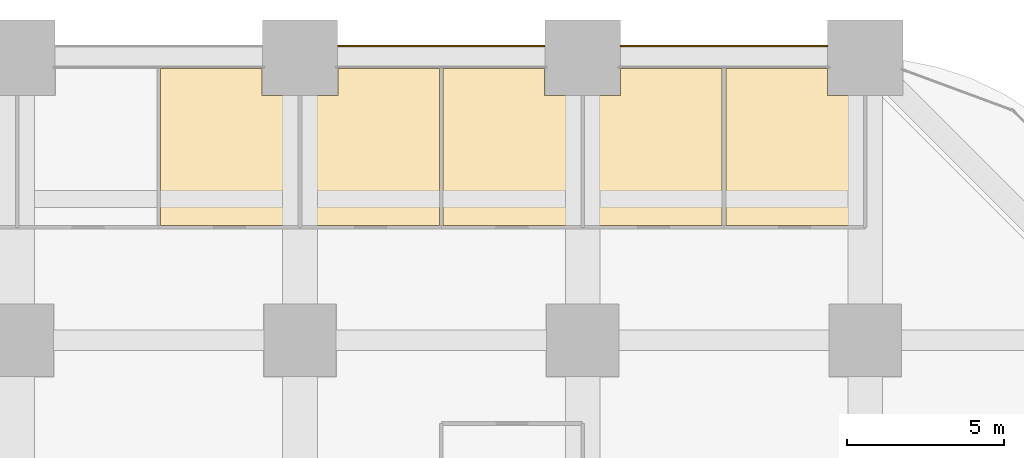
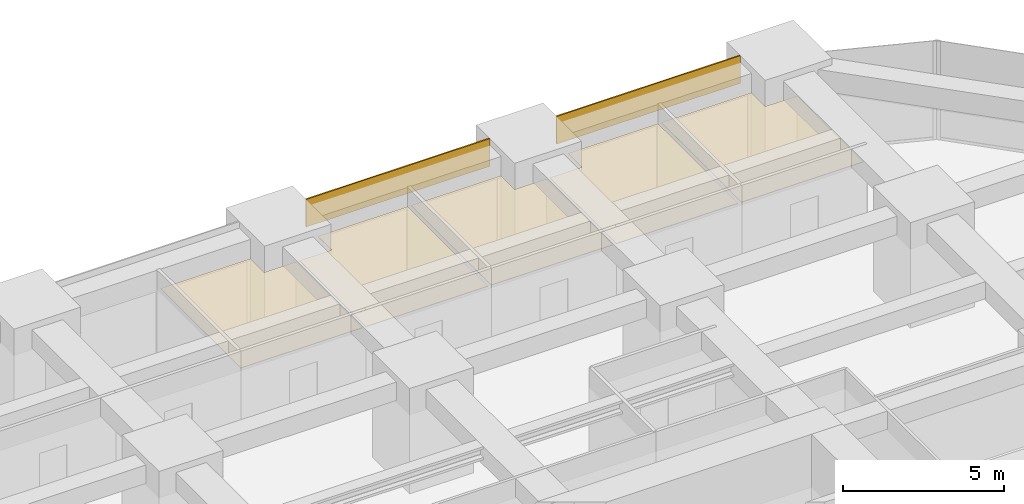
# One storey, part 44 of 44: 7 coverings.
"""IFC4 building model written with IfcOpenShell, lengths in metres."""

import ifcopenshell
import ifcopenshell.guid

model = None  # the IFC model being written
_history = None  # IfcOwnerHistory: only IFC2X3 demands one
_inside = {}  # id of a spatial element -> (the spatial element, [elements in it])
_under = {}  # id of a project, library or spatial element -> (it, [spatial elements below it])
_declared = {}  # id of a project -> (the project, [libraries it declares])
_typed = {}  # id of a type object -> (the type object, [elements of that type])
_made_of = {}  # id of a material, layer set ... -> (it, [elements and type objects made of it])


def new_model(schema):
    """Start an empty IFC model of exactly this schema.

    Asked for "IFC4X3", IfcOpenShell would pick the latest addendum, in which some entities
    have other attributes; the version numbers below select the first issue.
    IFC2X3 requires an IfcOwnerHistory on every rooted entity: one is made here for all.
    """
    global model, _history
    if schema == "IFC4X3":
        model = ifcopenshell.file(schema_version=(4, 3, 0, 0))
    else:
        model = ifcopenshell.file(schema=schema)
    _inside.clear()
    _under.clear()
    _declared.clear()
    _typed.clear()
    _made_of.clear()
    _history = None
    if model.schema == "IFC2X3":
        org = make("IfcOrganization", Name="unknown")
        user = make(
            "IfcPersonAndOrganization",
            ThePerson=make("IfcPerson", FamilyName="unknown"),
            TheOrganization=org,
        )
        app = make(
            "IfcApplication",
            ApplicationDeveloper=org,
            Version="unknown",
            ApplicationFullName="unknown",
            ApplicationIdentifier="unknown",
        )
        _history = make(
            "IfcOwnerHistory",
            OwningUser=user,
            OwningApplication=app,
            ChangeAction="ADDED",
            CreationDate=0,
        )
    return model


def make(cls, **values):
    """One entity of the class cls with the attributes given. An attribute that is None is left unset."""
    return model.create_entity(
        cls, **{name: value for name, value in values.items() if value is not None}
    )


def rooted(cls, **values):
    """An entity with a GlobalId (a new one), such as an element, a storey or a relation."""
    return make(cls, GlobalId=ifcopenshell.guid.new(), OwnerHistory=_history, **values)


def si_unit(unit_type, name, prefix=None):
    """IfcSIUnit, for example si_unit("LENGTHUNIT", "METRE", prefix="MILLI")."""
    return make("IfcSIUnit", UnitType=unit_type, Prefix=prefix, Name=name)


def assignment(units):
    """IfcUnitAssignment: the units of a project."""
    return None if units is None else make("IfcUnitAssignment", Units=units)


def point(xyz):
    """IfcCartesianPoint."""
    return None if xyz is None else make("IfcCartesianPoint", Coordinates=xyz)


def direction(xyz):
    """IfcDirection."""
    return None if xyz is None else make("IfcDirection", DirectionRatios=xyz)


def frame(location, z_axis=None, x_axis=None):
    """IfcAxis2Placement3D, a coordinate frame: its origin and axes. An axis left out is left unset."""
    return make(
        "IfcAxis2Placement3D",
        Location=point(location),
        Axis=direction(z_axis),
        RefDirection=direction(x_axis),
    )


def frame_2d(location, x_axis=None):
    """IfcAxis2Placement2D, a coordinate frame in the plane: its origin and x axis."""
    return make(
        "IfcAxis2Placement2D", Location=point(location), RefDirection=direction(x_axis)
    )


def origin():
    """The frame at (0, 0, 0) with its axes left unset."""
    return frame((0.0, 0.0, 0.0))


def place(relative_to, where):
    """IfcLocalPlacement: puts the frame where relative to a parent placement (None: the world)."""
    return make(
        "IfcLocalPlacement", PlacementRelTo=relative_to, RelativePlacement=where
    )


def context(
    kind, dimensions, precision=None, world=None, true_north=None, identifier=None
):
    """IfcGeometricRepresentationContext, for example the 3D "Model" context."""
    return make(
        "IfcGeometricRepresentationContext",
        ContextIdentifier=identifier,
        ContextType=kind,
        CoordinateSpaceDimension=dimensions,
        Precision=precision,
        WorldCoordinateSystem=world,
        TrueNorth=true_north,
    )


def subcontext(parent, identifier, kind, view, scale=None):
    """IfcGeometricRepresentationSubContext, for example "Body" below "Model"."""
    return make(
        "IfcGeometricRepresentationSubContext",
        ContextIdentifier=identifier,
        ContextType=kind,
        ParentContext=parent,
        TargetScale=scale,
        TargetView=view,
    )


def project(units=None, contexts=None):
    """IfcProject with its units and contexts."""
    return rooted(
        "IfcProject",
        Name="project",
        RepresentationContexts=contexts,
        UnitsInContext=assignment(units),
    )


def spatial(cls, under=None, at=None, **own):
    """A site, building, storey or space (cls), placed at a placement, below another one or the project."""
    s = rooted(cls, ObjectPlacement=at, **own)
    if under is not None:
        _under.setdefault(under.id(), (under, []))[1].append(s)
    return s


def polyline(points):
    """IfcPolyline through the points."""
    return make("IfcPolyline", Points=[point(p) for p in points])


def profile(cls, at=None, kind="AREA", **sizes):
    """A parametric profile (cls). Its sizes go by their IFC names, for example OverallWidth=200.0."""
    return make(cls, ProfileType=kind, Position=at, **sizes)


def rectangle(**sizes):
    """IfcRectangleProfileDef."""
    return profile("IfcRectangleProfileDef", **sizes)


def outline(outer, holes=None, kind="AREA"):
    """IfcArbitraryClosedProfileDef: a profile drawn as a closed curve; with holes, ...WithVoids."""
    if holes is None:
        return make("IfcArbitraryClosedProfileDef", ProfileType=kind, OuterCurve=outer)
    return make(
        "IfcArbitraryProfileDefWithVoids",
        ProfileType=kind,
        OuterCurve=outer,
        InnerCurves=holes,
    )


def extrude(swept, where, along, depth):
    """IfcExtrudedAreaSolid: the profile swept, set in the frame where, extruded along a direction by depth."""
    return make(
        "IfcExtrudedAreaSolid",
        SweptArea=swept,
        Position=where,
        ExtrudedDirection=direction(along),
        Depth=depth,
    )


def shape(context_of_items, identifier, shape_type, items):
    """IfcShapeRepresentation: the items that make up one representation, for example the "Body"."""
    return make(
        "IfcShapeRepresentation",
        ContextOfItems=context_of_items,
        RepresentationIdentifier=identifier,
        RepresentationType=shape_type,
        Items=items,
    )


def material(Name=None, Category=None):
    """IfcMaterial."""
    return make("IfcMaterial", Name=Name, Category=Category)


def layer(
    of_material, thickness, ventilated=None, Name=None, Category=None, Priority=None
):
    """IfcMaterialLayer: one layer of a wall or slab, of a material (None: an air gap)."""
    return make(
        "IfcMaterialLayer",
        Material=of_material,
        LayerThickness=thickness,
        IsVentilated=ventilated,
        Name=Name,
        Category=Category,
        Priority=Priority,
    )


def layer_set(layers, Name=None):
    """IfcMaterialLayerSet."""
    return make("IfcMaterialLayerSet", MaterialLayers=layers, LayerSetName=Name)


def made_of(thing, what):
    """Note that an element or type object is made of a material, layer set ...; save() writes the relation."""
    if what is not None:
        _made_of.setdefault(what.id(), (what, []))[1].append(thing)
    return thing


def type_object(cls, material=None, **own):
    """A type object (cls), such as IfcWallType, which elements share."""
    return made_of(rooted(cls, **own), material)


def element(
    cls,
    number,
    at=None,
    inside=None,
    cuts=None,
    type_object=None,
    material=None,
    context=None,
    identifier="Body",
    shape_type=None,
    held_by="IfcProductDefinitionShape",
    body=None,
    shapes=None,
    **own,
):
    """One element of the class cls, such as IfcWall. Its Tag is "e" and its number.

    at: its placement. inside: the storey or other place that contains it. cuts: it is an
    opening in that element (IfcRelVoidsElement). A single representation is given by context,
    identifier, shape_type and body (its items); several are given by shapes. held_by: the class
    of the entity that holds the representations. save() writes the other relations.
    """
    e = rooted(cls, Tag="e%d" % number, ObjectPlacement=at, **own)
    if body is not None:
        shapes = [shape(context, identifier, shape_type, body)]
    if shapes is not None:
        e.Representation = make(held_by, Representations=shapes)
    if inside is not None:
        _inside.setdefault(inside.id(), (inside, []))[1].append(e)
    if cuts is not None:
        rooted(
            "IfcRelVoidsElement", RelatingBuildingElement=cuts, RelatedOpeningElement=e
        )
    if type_object is not None:
        _typed.setdefault(type_object.id(), (type_object, []))[1].append(e)
    return made_of(e, material)


def aggregate(whole, parts):
    """IfcRelAggregates: a whole, such as a stair, and the parts it consists of."""
    return rooted("IfcRelAggregates", RelatingObject=whole, RelatedObjects=parts)


def save(model, path):
    """Write the relations noted so far, then the file.

    IfcRelAggregates (storeys below a building ...), IfcRelContainedInSpatialStructure (elements
    in a storey), IfcRelDefinesByType, IfcRelAssociatesMaterial and IfcRelDeclares: one each for
    every whole, place, type object, material and project.
    """
    for whole, parts in _under.values():
        aggregate(whole, parts)
    for where, things in _inside.values():
        rooted(
            "IfcRelContainedInSpatialStructure",
            RelatedElements=things,
            RelatingStructure=where,
        )
    for kind, things in _typed.values():
        rooted("IfcRelDefinesByType", RelatedObjects=things, RelatingType=kind)
    for what, things in _made_of.values():
        rooted("IfcRelAssociatesMaterial", RelatedObjects=things, RelatingMaterial=what)
    for by, libraries in _declared.values():
        rooted("IfcRelDeclares", RelatingContext=by, RelatedDefinitions=libraries)
    model.write(path)


model = new_model("IFC4")

# Units and contexts
model_context = context("Model", 3, precision=1e-05, world=origin(), true_north=direction((0.0, 1.0)))
body_context = subcontext(model_context, "Body", "Model", "MODEL_VIEW")
ifc_project = project(units=[si_unit("LENGTHUNIT", "METRE"), si_unit("AREAUNIT", "SQUARE_METRE"), si_unit("VOLUMEUNIT", "CUBIC_METRE"), si_unit("PLANEANGLEUNIT", "RADIAN"), si_unit("MASSUNIT", "GRAM", prefix="KILO")], contexts=[model_context])

# Site, building, storey
site_placement = place(None, origin())
site = spatial("IfcSite", under=ifc_project, at=site_placement, CompositionType="ELEMENT")
building_placement = place(site_placement, origin())
building = spatial("IfcBuilding", under=site, at=building_placement, Name="Zorevar Civic Tower", CompositionType="ELEMENT")
storey_placement = place(building_placement, frame((0.0, 0.0, 31.800048828125)))
storey = spatial("IfcBuildingStorey", under=building, at=storey_placement, Name="L07", CompositionType="ELEMENT", Elevation=31.800048828125)

# Coverings
ifc_material_1 = material(Name="Black anodised aluminium spandrel panel", Category="aluminium")
ifc_layer_1 = layer(ifc_material_1, 0.050048828125)
ifc_layer_set_1 = layer_set([ifc_layer_1], Name="Spandrel cladding SP1")
covering_type_1 = type_object("IfcCoveringType", Name="Spandrel cladding SP1", PredefinedType="CLADDING", material=ifc_layer_set_1)
for number, where, z_axis, x_axis, name in (
    (1, (37.199951171875, 54.375, 2.949951171875), (0.0, 0.0, 1.0), (1.0, 0.0, 0.0), "Spandrel cladding L08"),
    (2, (46.199951171875, 54.375, 2.949951171875), (0.0, 0.0, 1.0), (1.0, 0.0, 0.0), "Spandrel cladding L08"),
):
    element("IfcCovering", number, at=place(storey_placement, frame(where, z_axis=z_axis, x_axis=x_axis)), inside=storey, type_object=covering_type_1, Name=name, PredefinedType="CLADDING", context=body_context, shape_type="SweptSolid", body=[
        extrude(rectangle(XDim=6.60009765625, YDim=0.050048828125, at=frame_2d((3.300048828125, 0.0))), origin(), (0.0, 0.0, 1.0), 1.050048828125),
    ])
ifc_material_2 = material(Name="Mineral fibre tiles on a concealed grid")
ifc_layer_2 = layer(ifc_material_2, 0.02001953125)
ifc_layer_set_2 = layer_set([ifc_layer_2], Name="Suspended ceiling SC1")
covering_type_2 = type_object("IfcCoveringType", Name="Suspended ceiling SC1", PredefinedType="CEILING", material=ifc_layer_set_2)
covering_1_placement = place(storey_placement, frame((0.0, 0.0, 3.0)))
element("IfcCovering", 3, at=covering_1_placement, inside=storey, type_object=covering_type_2, Name="Ceiling L07-36", PredefinedType="CEILING", context=body_context, shape_type="SweptSolid", body=[
    extrude(outline(polyline([(31.56005859375, 48.659912109375), (31.56005859375, 53.64990234375), (34.7900390625, 53.64990234375), (34.7900390625, 52.7900390625), (35.93994140625, 52.7900390625), (35.93994140625, 48.659912109375), (31.56005859375, 48.659912109375)])), origin(), (0.0, 0.0, 1.0), 0.02001953125),
])
covering_2_placement = place(storey_placement, frame((0.0, 0.0, 3.0)))
element("IfcCovering", 4, at=covering_2_placement, inside=storey, type_object=covering_type_2, Name="Ceiling L07-37", PredefinedType="CEILING", context=body_context, shape_type="SweptSolid", body=[
    extrude(outline(polyline([(36.06005859375, 48.659912109375), (36.06005859375, 52.7900390625), (37.2099609375, 52.7900390625), (37.2099609375, 53.64990234375), (40.43994140625, 53.64990234375), (40.43994140625, 48.659912109375), (36.06005859375, 48.659912109375)])), origin(), (0.0, 0.0, 1.0), 0.02001953125),
])
covering_3_placement = place(storey_placement, frame((0.0, 0.0, 3.0)))
element("IfcCovering", 5, at=covering_3_placement, inside=storey, type_object=covering_type_2, Name="Ceiling L07-38", PredefinedType="CEILING", context=body_context, shape_type="SweptSolid", body=[
    extrude(outline(polyline([(40.56005859375, 48.659912109375), (40.56005859375, 53.64990234375), (43.7900390625, 53.64990234375), (43.7900390625, 52.7900390625), (44.93994140625, 52.7900390625), (44.93994140625, 48.659912109375), (40.56005859375, 48.659912109375)])), origin(), (0.0, 0.0, 1.0), 0.02001953125),
])
covering_4_placement = place(storey_placement, frame((0.0, 0.0, 3.0)))
element("IfcCovering", 6, at=covering_4_placement, inside=storey, type_object=covering_type_2, Name="Ceiling L07-39", PredefinedType="CEILING", context=body_context, shape_type="SweptSolid", body=[
    extrude(outline(polyline([(45.06005859375, 48.659912109375), (45.06005859375, 52.7900390625), (46.2099609375, 52.7900390625), (46.2099609375, 53.64990234375), (49.43994140625, 53.64990234375), (49.43994140625, 48.659912109375), (45.06005859375, 48.659912109375)])), origin(), (0.0, 0.0, 1.0), 0.02001953125),
])
covering_5_placement = place(storey_placement, frame((0.0, 0.0, 3.0)))
element("IfcCovering", 7, at=covering_5_placement, inside=storey, type_object=covering_type_2, Name="Ceiling L07-40", PredefinedType="CEILING", context=body_context, shape_type="SweptSolid", body=[
    extrude(outline(polyline([(49.56005859375, 48.659912109375), (49.56005859375, 53.64990234375), (52.7900390625, 53.64990234375), (52.7900390625, 52.7900390625), (53.93994140625, 52.7900390625), (53.93994140625, 48.659912109375), (49.56005859375, 48.659912109375)])), origin(), (0.0, 0.0, 1.0), 0.02001953125),
])

save(model, "model.ifc")
